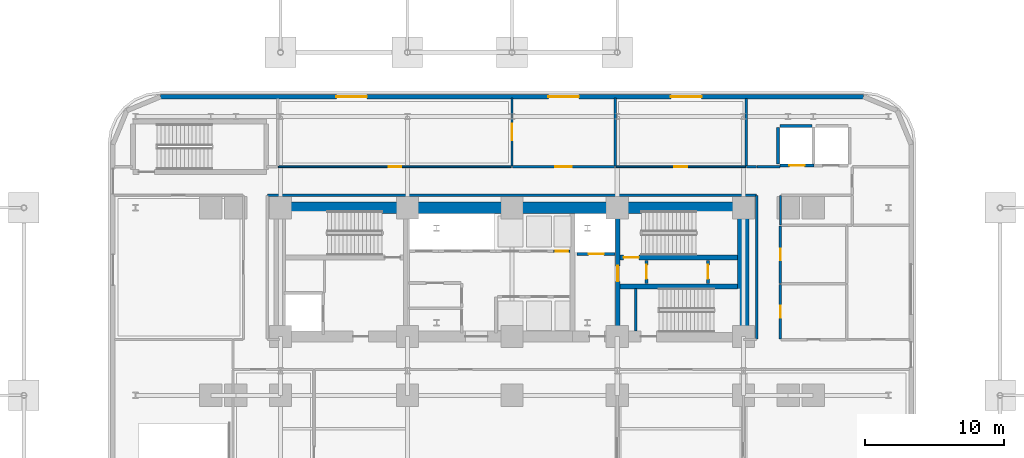
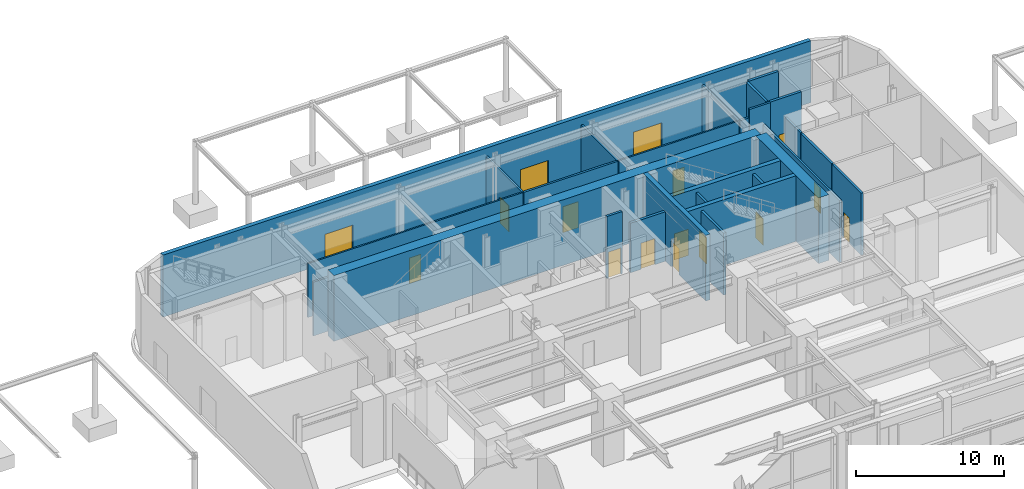
# One storey, part 14 of 21: 27 walls, 16 doors, 16 openings.
"""IFC4 building model written with IfcOpenShell, lengths in metres."""

from ifc_helpers import new_model, si_unit, direction, frame, frame_2d, origin, place, context, subcontext, project, spatial, rectangle, extrude, material, layer, layer_set, type_object, element, fill, save


model = new_model("IFC4")

# Units and contexts
model_context = context("Model", 3, precision=1e-05, world=origin(), true_north=direction((0.0, 1.0)))
body_context = subcontext(model_context, "Body", "Model", "MODEL_VIEW")
ifc_project = project(units=[si_unit("LENGTHUNIT", "METRE"), si_unit("AREAUNIT", "SQUARE_METRE"), si_unit("VOLUMEUNIT", "CUBIC_METRE"), si_unit("PLANEANGLEUNIT", "RADIAN"), si_unit("MASSUNIT", "GRAM", prefix="KILO")], contexts=[model_context])

# Site, building, storey
site_placement = place(None, origin())
site = spatial("IfcSite", under=ifc_project, at=site_placement, CompositionType="ELEMENT")
building_placement = place(site_placement, origin())
building = spatial("IfcBuilding", under=site, at=building_placement, Name="Zarnavel Station Tower", CompositionType="ELEMENT")
storey_placement = place(building_placement, origin())
storey = spatial("IfcBuildingStorey", under=building, at=storey_placement, Name="L01", CompositionType="ELEMENT", Elevation=0.0)

# Wall, opening, door
ifc_material_1 = material(Name="Concrete C50/60", Category="concrete")
ifc_layer_1 = layer(ifc_material_1, 0.35009765625)
ifc_layer_set_1 = layer_set([ifc_layer_1], Name="CW_350")
wall_type_1 = type_object("IfcWallType", Name="CW_350", PredefinedType="SHEAR", material=ifc_layer_set_1)
wall_1_placement = place(storey_placement, frame((36.3798828125, 28.219970703125, 0.0), z_axis=(0.0, 0.0, 1.0), x_axis=(0.0, 1.0, 0.0)))
wall_1 = element("IfcWall", 1, at=wall_1_placement, inside=storey, type_object=wall_type_1, Name="L01 Rear Core Shear Wall DIV-S2", PredefinedType="SHEAR", context=body_context, shape_type="SweptSolid", body=[
    extrude(rectangle(XDim=8.429931640625, YDim=0.35009765625, at=frame_2d((4.21484375, 0.0))), origin(), (0.0, 0.0, 1.0), 5.39990234375),
])
opening_1_placement = place(wall_1_placement, frame((3.56005859375, 0.0, 0.0)))
opening_1 = element("IfcOpeningElement", 2, at=opening_1_placement, cuts=wall_1, Name="Opening FD01", PredefinedType="OPENING", context=body_context, shape_type="SweptSolid", body=[
    extrude(rectangle(XDim=1.10009765625, YDim=2.14990234375, at=frame_2d((0.550048828125, 1.074951171875))), frame((0.0, 0.18505859375, 0.0), z_axis=(0.0, -1.0, 0.0), x_axis=(1.0, 0.0, 0.0)), (0.0, 0.0, 1.0), 0.3701171875),
])
ifc_material_2 = material(Name="Painted Galvanised Steel and Hardwood Leaf", Category="steel")
door_type_1 = type_object("IfcDoorType", Name="ID_STAIR_1100", OperationType="NOTDEFINED", PredefinedType="DOOR", material=ifc_material_2)
door_1_placement = place(opening_1_placement, origin())
door_1 = element("IfcDoor", 3, at=door_1_placement, inside=storey, type_object=door_type_1, Name="L01 East Stair Vestibule Fire Door", OperationType="SINGLE_SWING_LEFT", OverallHeight=2.14990234375, OverallWidth=1.10009765625, PredefinedType="DOOR", context=body_context, shape_type="SweptSolid", body=[
    extrude(rectangle(XDim=1.10009765625, YDim=2.14990234375, at=frame_2d((0.550048828125, 1.074951171875))), frame((0.0, 0.02490234375, 0.0), z_axis=(0.0, -1.0, 0.0), x_axis=(1.0, 0.0, 0.0)), (0.0, 0.0, 1.0), 0.050048828125),
])
fill(opening_1, door_1)

wall_2_placement = place(storey_placement, frame((44.97998046875, 33.47998046875, 0.0), z_axis=(0.0, 0.0, 1.0), x_axis=(-1.0, 0.0, 0.0)))
wall_2 = element("IfcWall", 4, at=wall_2_placement, inside=storey, type_object=wall_type_1, Name="L01 Rear Core Shear Wall DIV-H2", PredefinedType="SHEAR", context=body_context, shape_type="SweptSolid", body=[
    extrude(rectangle(XDim=8.425048828125, YDim=0.35009765625, at=frame_2d((4.21240234375, 0.0))), origin(), (0.0, 0.0, 1.0), 5.39990234375),
])
opening_2_placement = place(wall_2_placement, frame((7.080078125, 0.0, 0.0)))
opening_2 = element("IfcOpeningElement", 5, at=opening_2_placement, cuts=wall_2, Name="Opening FD01", PredefinedType="OPENING", context=body_context, shape_type="SweptSolid", body=[
    extrude(rectangle(XDim=1.10009765625, YDim=2.14990234375, at=frame_2d((0.550048828125, 1.074951171875))), frame((0.0, 0.18505859375, 0.0), z_axis=(0.0, -1.0, 0.0), x_axis=(1.0, 0.0, 0.0)), (0.0, 0.0, 1.0), 0.3701171875),
])
door_2_placement = place(opening_2_placement, origin())
door_2 = element("IfcDoor", 6, at=door_2_placement, inside=storey, type_object=door_type_1, Name="L01 Stair ST2 Lobby Fire Door", OperationType="SINGLE_SWING_RIGHT", OverallHeight=2.14990234375, OverallWidth=1.10009765625, PredefinedType="DOOR", context=body_context, shape_type="SweptSolid", body=[
    extrude(rectangle(XDim=1.10009765625, YDim=2.14990234375, at=frame_2d((0.550048828125, 1.074951171875))), frame((0.0, 0.02490234375, 0.0), z_axis=(0.0, -1.0, 0.0), x_axis=(1.0, 0.0, 0.0)), (0.0, 0.0, 1.0), 0.050048828125),
])
fill(opening_2, door_2)

# Walls
wall_3_placement = place(storey_placement, frame((36.554931640625, 31.419921875, 0.0), z_axis=(0.0, 0.0, 1.0), x_axis=(1.0, 0.0, 0.0)))
element("IfcWall", 7, at=wall_3_placement, inside=storey, type_object=wall_type_1, Name="L01 Rear Core Shear Wall DIV-H3", PredefinedType="SHEAR", context=body_context, shape_type="SweptSolid", body=[
    extrude(rectangle(XDim=8.425048828125, YDim=0.35009765625, at=frame_2d((4.21240234375, 0.0))), origin(), (0.0, 0.0, 1.0), 5.39990234375),
])
ifc_material_3 = material(Name="Concrete C60/75", Category="concrete")
ifc_layer_2 = layer(ifc_material_3, 0.800048828125)
ifc_layer_set_2 = layer_set([ifc_layer_2], Name="CW_800")
wall_type_2 = type_object("IfcWallType", Name="CW_800", PredefinedType="SHEAR", material=ifc_layer_set_2)
wall_4_placement = place(storey_placement, frame((12.14990234375, 37.050048828125, 0.0), z_axis=(0.0, 0.0, 1.0), x_axis=(1.0, 0.0, 0.0)))
element("IfcWall", 8, at=wall_4_placement, inside=storey, type_object=wall_type_2, Name="L01 Rear Core Shear Wall N", PredefinedType="SHEAR", context=body_context, shape_type="SweptSolid", body=[
    extrude(rectangle(XDim=33.22998046875, YDim=0.800048828125, at=frame_2d((16.614990234375, 0.0))), origin(), (0.0, 0.0, 1.0), 5.39990234375),
])
wall_5_placement = place(storey_placement, frame((45.3798828125, 28.219970703125, 0.0), z_axis=(0.0, 0.0, 1.0), x_axis=(0.0, 1.0, 0.0)))
element("IfcWall", 9, at=wall_5_placement, inside=storey, type_object=wall_type_2, Name="L01 Rear Core Shear Wall E", PredefinedType="SHEAR", context=body_context, shape_type="SweptSolid", body=[
    extrude(rectangle(XDim=8.429931640625, YDim=0.800048828125, at=frame_2d((4.21484375, 0.0))), origin(), (0.0, 0.0, 1.0), 5.39990234375),
])

# Wall, openings, doors
ifc_material_4 = material(Name="Precast concrete C45/55 (Podium Basalt Frame)", Category="masonry")
ifc_layer_3 = layer(ifc_material_4, 0.320068359375)
ifc_layer_set_3 = layer_set([ifc_layer_3], Name="EW_BASALT_320")
wall_type_3 = type_object("IfcWallType", Name="EW_BASALT_320", PredefinedType="SOLIDWALL", material=ifc_layer_set_3)
wall_6_placement = place(storey_placement, frame((3.60009765625, 45.02001953125, 0.0), z_axis=(0.0, 0.0, 1.0), x_axis=(1.0, 0.0, 0.0)))
wall_6 = element("IfcWall", 10, at=wall_6_placement, inside=storey, type_object=wall_type_3, Name="L01 Exterior Basalt Masonry Frame Wall 06", PredefinedType="SOLIDWALL", context=body_context, shape_type="SweptSolid", body=[
    extrude(rectangle(XDim=50.39990234375, YDim=0.320068359375, at=frame_2d((25.199951171875, 0.0))), origin(), (0.0, 0.0, 1.0), 5.10009765625),
])
opening_3_placement = place(wall_6_placement, frame((12.60009765625, 0.0, 0.0)))
opening_3 = element("IfcOpeningElement", 11, at=opening_3_placement, cuts=wall_6, Name="Opening ED01", PredefinedType="OPENING", context=body_context, shape_type="SweptSolid", body=[
    extrude(rectangle(XDim=2.199951171875, YDim=2.39990234375, at=frame_2d((1.10009765625, 1.199951171875))), frame((0.0, 0.169921875, 0.0), z_axis=(0.0, -1.0, 0.0), x_axis=(1.0, 0.0, 0.0)), (0.0, 0.0, 1.0), 0.340087890625),
])
opening_4_placement = place(wall_6_placement, frame((27.800048828125, 0.0, 0.0)))
opening_4 = element("IfcOpeningElement", 12, at=opening_4_placement, cuts=wall_6, Name="Opening ED01", PredefinedType="OPENING", context=body_context, shape_type="SweptSolid", body=[
    extrude(rectangle(XDim=2.199951171875, YDim=2.39990234375, at=frame_2d((1.10009765625, 1.199951171875))), frame((0.0, 0.169921875, 0.0), z_axis=(0.0, -1.0, 0.0), x_axis=(1.0, 0.0, 0.0)), (0.0, 0.0, 1.0), 0.340087890625),
])
opening_5_placement = place(wall_6_placement, frame((36.60009765625, 0.0, 0.0)))
opening_5 = element("IfcOpeningElement", 13, at=opening_5_placement, cuts=wall_6, Name="Opening ED01", PredefinedType="OPENING", context=body_context, shape_type="SweptSolid", body=[
    extrude(rectangle(XDim=2.199951171875, YDim=2.39990234375, at=frame_2d((1.10009765625, 1.199951171875))), frame((0.0, 0.169921875, 0.0), z_axis=(0.0, -1.0, 0.0), x_axis=(1.0, 0.0, 0.0)), (0.0, 0.0, 1.0), 0.340087890625),
])
ifc_material_5 = material(Name="Thermally Broken Black Aluminium and Laminated Safety Glass", Category="aluminium")
door_type_2 = type_object("IfcDoorType", Name="ED_EXIT_2200", OperationType="DOUBLE_DOOR_SINGLE_SWING", PredefinedType="DOOR", material=ifc_material_5)
door_3_placement = place(opening_3_placement, origin())
door_3 = element("IfcDoor", 14, at=door_3_placement, inside=storey, type_object=door_type_2, Name="L01 North Exit Door 1", OperationType="SINGLE_SWING_LEFT", OverallHeight=2.39990234375, OverallWidth=2.199951171875, PredefinedType="DOOR", context=body_context, shape_type="SweptSolid", body=[
    extrude(rectangle(XDim=2.199951171875, YDim=2.39990234375, at=frame_2d((1.10009765625, 1.199951171875))), frame((0.0, 0.02490234375, 0.0), z_axis=(0.0, -1.0, 0.0), x_axis=(1.0, 0.0, 0.0)), (0.0, 0.0, 1.0), 0.050048828125),
])
fill(opening_3, door_3)
door_4_placement = place(opening_4_placement, origin())
door_4 = element("IfcDoor", 15, at=door_4_placement, inside=storey, type_object=door_type_2, Name="L01 North Exit Door 2", OperationType="SINGLE_SWING_LEFT", OverallHeight=2.39990234375, OverallWidth=2.199951171875, PredefinedType="DOOR", context=body_context, shape_type="SweptSolid", body=[
    extrude(rectangle(XDim=2.199951171875, YDim=2.39990234375, at=frame_2d((1.10009765625, 1.199951171875))), frame((0.0, 0.02490234375, 0.0), z_axis=(0.0, -1.0, 0.0), x_axis=(1.0, 0.0, 0.0)), (0.0, 0.0, 1.0), 0.050048828125),
])
fill(opening_4, door_4)
door_5_placement = place(opening_5_placement, origin())
door_5 = element("IfcDoor", 16, at=door_5_placement, inside=storey, type_object=door_type_2, Name="L01 North Exit Door 3", OperationType="SINGLE_SWING_LEFT", OverallHeight=2.39990234375, OverallWidth=2.199951171875, PredefinedType="DOOR", context=body_context, shape_type="SweptSolid", body=[
    extrude(rectangle(XDim=2.199951171875, YDim=2.39990234375, at=frame_2d((1.10009765625, 1.199951171875))), frame((0.0, 0.02490234375, 0.0), z_axis=(0.0, -1.0, 0.0), x_axis=(1.0, 0.0, 0.0)), (0.0, 0.0, 1.0), 0.050048828125),
])
fill(opening_5, door_5)

# Wall, opening, door
ifc_material_6 = material(Name="Gypsum Twin-Stud Acoustic Fire Partition", Category="concrete")
ifc_layer_4 = layer(ifc_material_6, 0.159912109375)
ifc_layer_set_4 = layer_set([ifc_layer_4], Name="PT_DEMISE_160")
wall_type_4 = type_object("IfcWallType", Name="PT_DEMISE_160", PredefinedType="PARTITIONING", material=ifc_layer_set_4)
wall_7_placement = place(storey_placement, frame((28.840087890625, 40.0, 0.0), z_axis=(0.0, 0.0, 1.0), x_axis=(1.0, 0.0, 0.0)))
wall_7 = element("IfcWall", 17, at=wall_7_placement, inside=storey, type_object=wall_type_4, Name="L01 Partition PCOR-N-FCC", PredefinedType="PARTITIONING", context=body_context, shape_type="SweptSolid", body=[
    extrude(rectangle(XDim=7.31982421875, YDim=0.159912109375, at=frame_2d((3.659912109375, 0.0))), origin(), (0.0, 0.0, 1.0), 4.429931640625),
])
opening_6_placement = place(wall_7_placement, frame((3.06005859375, 0.0, 0.0)))
opening_6 = element("IfcOpeningElement", 18, at=opening_6_placement, cuts=wall_7, Name="Opening FD03", PredefinedType="OPENING", context=body_context, shape_type="SweptSolid", body=[
    extrude(rectangle(XDim=1.199951171875, YDim=2.14990234375, at=frame_2d((0.60009765625, 1.074951171875))), frame((0.0, 0.08984375, 0.0), z_axis=(0.0, -1.0, 0.0), x_axis=(1.0, 0.0, 0.0)), (0.0, 0.0, 1.0), 0.179931640625),
])
ifc_material_7 = material(Name="Painted Galvanised Steel and Hardwood Leaf", Category="steel")
door_type_3 = type_object("IfcDoorType", Name="ID_PLANT_1200", OperationType="NOTDEFINED", PredefinedType="DOOR", material=ifc_material_7)
door_6_placement = place(opening_6_placement, origin())
door_6 = element("IfcDoor", 19, at=door_6_placement, inside=storey, type_object=door_type_3, Name="L01 Door PCOR-N-FCC", OperationType="SINGLE_SWING_LEFT", OverallHeight=2.14990234375, OverallWidth=1.199951171875, PredefinedType="DOOR", context=body_context, shape_type="SweptSolid", body=[
    extrude(rectangle(XDim=1.199951171875, YDim=2.14990234375, at=frame_2d((0.60009765625, 1.074951171875))), frame((0.0, 0.02490234375, 0.0), z_axis=(0.0, -1.0, 0.0), x_axis=(1.0, 0.0, 0.0)), (0.0, 0.0, 1.0), 0.050048828125),
])
fill(opening_6, door_6)

wall_8_placement = place(storey_placement, frame((28.800048828125, 40.0400390625, 0.0), z_axis=(0.0, 0.0, 1.0), x_axis=(0.0, 1.0, 0.0)))
wall_8 = element("IfcWall", 20, at=wall_8_placement, inside=storey, type_object=wall_type_4, Name="L01 Partition RLOB-FCC", PredefinedType="PARTITIONING", context=body_context, shape_type="SweptSolid", body=[
    extrude(rectangle(XDim=4.8798828125, YDim=0.159912109375, at=frame_2d((2.43994140625, 0.0))), origin(), (0.0, 0.0, 1.0), 4.429931640625),
])
opening_7_placement = place(wall_8_placement, frame((1.840087890625, 0.0, 0.0)))
opening_7 = element("IfcOpeningElement", 21, at=opening_7_placement, cuts=wall_8, Name="Opening FD03", PredefinedType="OPENING", context=body_context, shape_type="SweptSolid", body=[
    extrude(rectangle(XDim=1.199951171875, YDim=2.14990234375, at=frame_2d((0.60009765625, 1.074951171875))), frame((0.0, 0.08984375, 0.0), z_axis=(0.0, -1.0, 0.0), x_axis=(1.0, 0.0, 0.0)), (0.0, 0.0, 1.0), 0.179931640625),
])
door_7_placement = place(opening_7_placement, origin())
door_7 = element("IfcDoor", 22, at=door_7_placement, inside=storey, type_object=door_type_3, Name="L01 Door RLOB-FCC", OperationType="SINGLE_SWING_RIGHT", OverallHeight=2.14990234375, OverallWidth=1.199951171875, PredefinedType="DOOR", context=body_context, shape_type="SweptSolid", body=[
    extrude(rectangle(XDim=1.199951171875, YDim=2.14990234375, at=frame_2d((0.60009765625, 1.074951171875))), frame((0.0, 0.02490234375, 0.0), z_axis=(0.0, -1.0, 0.0), x_axis=(1.0, 0.0, 0.0)), (0.0, 0.0, 1.0), 0.050048828125),
])
fill(opening_7, door_7)

# Walls
wall_9_placement = place(storey_placement, frame((36.199951171875, 40.0400390625, 0.0), z_axis=(0.0, 0.0, 1.0), x_axis=(0.0, 1.0, 0.0)))
element("IfcWall", 23, at=wall_9_placement, inside=storey, type_object=wall_type_4, Name="L01 Partition FCC-SEC", PredefinedType="PARTITIONING", context=body_context, shape_type="SweptSolid", body=[
    extrude(rectangle(XDim=4.8798828125, YDim=0.159912109375, at=frame_2d((2.43994140625, 0.0))), origin(), (0.0, 0.0, 1.0), 4.429931640625),
])
wall_10_placement = place(storey_placement, frame((46.3798828125, 40.0, 0.0), z_axis=(0.0, 0.0, 1.0), x_axis=(1.0, 0.0, 0.0)))
element("IfcWall", 24, at=wall_10_placement, inside=storey, type_object=wall_type_4, Name="L01 Enclosure Wall PCOR-E", PredefinedType="PARTITIONING", context=body_context, shape_type="SweptSolid", body=[
    extrude(rectangle(XDim=1.64013671875, YDim=0.159912109375, at=frame_2d((0.820068359375, 0.0))), origin(), (0.0, 0.0, 1.0), 5.10009765625),
])
wall_11_placement = place(storey_placement, frame((46.35009765625, 27.6298828125, 0.0), z_axis=(0.0, 0.0, 1.0), x_axis=(0.0, 1.0, 0.0)))
element("IfcWall", 25, at=wall_11_placement, inside=storey, type_object=wall_type_4, Name="L01 Enclosure Wall PCOR-E", PredefinedType="PARTITIONING", context=body_context, shape_type="SweptSolid", body=[
    extrude(rectangle(XDim=10.2900390625, YDim=0.159912109375, at=frame_2d((5.14501953125, 0.0))), origin(), (0.0, 0.0, 1.0), 5.10009765625),
])
wall_12_placement = place(storey_placement, frame((48.050048828125, 35.830078125, 0.0), z_axis=(0.0, 0.0, 1.0), x_axis=(0.0, 1.0, 0.0)))
element("IfcWall", 26, at=wall_12_placement, inside=storey, type_object=wall_type_4, Name="L01 Enclosure Wall PCOR-E", PredefinedType="PARTITIONING", context=body_context, shape_type="SweptSolid", body=[
    extrude(rectangle(XDim=2.08984375, YDim=0.159912109375, at=frame_2d((1.044921875, 0.0))), origin(), (0.0, 0.0, 1.0), 5.10009765625),
])
wall_13_placement = place(storey_placement, frame((11.280029296875, 37.949951171875, 0.0), z_axis=(0.0, 0.0, 1.0), x_axis=(1.0, 0.0, 0.0)))
element("IfcWall", 27, at=wall_13_placement, inside=storey, type_object=wall_type_4, Name="L01 Enclosure Wall PCOR-N", PredefinedType="PARTITIONING", context=body_context, shape_type="SweptSolid", body=[
    extrude(rectangle(XDim=35.0400390625, YDim=0.159912109375, at=frame_2d((17.52001953125, 0.0))), origin(), (0.0, 0.0, 1.0), 4.429931640625),
])
wall_14_placement = place(storey_placement, frame((45.6298828125, 40.0, 0.0), z_axis=(0.0, 0.0, 1.0), x_axis=(1.0, 0.0, 0.0)))
element("IfcWall", 28, at=wall_14_placement, inside=storey, type_object=wall_type_4, Name="L01 Enclosure Wall PCOR-N", PredefinedType="PARTITIONING", context=body_context, shape_type="SweptSolid", body=[
    extrude(rectangle(XDim=0.690185546875, YDim=0.159912109375, at=frame_2d((0.34521484375, 0.0))), origin(), (0.0, 0.0, 1.0), 4.429931640625),
])
wall_15_placement = place(storey_placement, frame((45.60009765625, 40.030029296875, 0.0), z_axis=(0.0, 0.0, 1.0), x_axis=(0.0, 1.0, 0.0)))
element("IfcWall", 29, at=wall_15_placement, inside=storey, type_object=wall_type_4, Name="L01 Enclosure Wall SEC", PredefinedType="PARTITIONING", context=body_context, shape_type="SweptSolid", body=[
    extrude(rectangle(XDim=4.85986328125, YDim=0.159912109375, at=frame_2d((2.429931640625, 0.0))), origin(), (0.0, 0.0, 1.0), 4.429931640625),
])

# Wall, opening, door
ifc_material_8 = material(Name="Gypsum Metal-Stud Interior Partition", Category="concrete")
ifc_layer_5 = layer(ifc_material_8, 0.1201171875)
ifc_layer_set_5 = layer_set([ifc_layer_5], Name="PT_ROOM_120")
wall_type_5 = type_object("IfcWallType", Name="PT_ROOM_120", PredefinedType="PARTITIONING", material=ifc_layer_set_5)
wall_16_placement = place(storey_placement, frame((12.0400390625, 40.0, 0.0), z_axis=(0.0, 0.0, 1.0), x_axis=(1.0, 0.0, 0.0)))
wall_16 = element("IfcWall", 30, at=wall_16_placement, inside=storey, type_object=wall_type_5, Name="L01 Partition PCOR-N-RLOB", PredefinedType="PARTITIONING", context=body_context, shape_type="SweptSolid", body=[
    extrude(rectangle(XDim=16.719970703125, YDim=0.1201171875, at=frame_2d((8.35986328125, 0.0))), origin(), (0.0, 0.0, 1.0), 4.429931640625),
])
opening_8_placement = place(wall_16_placement, frame((7.909912109375, 0.0, 0.0)))
opening_8 = element("IfcOpeningElement", 31, at=opening_8_placement, cuts=wall_16, Name="Opening ID01", PredefinedType="OPENING", context=body_context, shape_type="SweptSolid", body=[
    extrude(rectangle(XDim=0.89990234375, YDim=2.10009765625, at=frame_2d((0.449951171875, 1.050048828125))), frame((0.0, 0.070068359375, 0.0), z_axis=(0.0, -1.0, 0.0), x_axis=(1.0, 0.0, 0.0)), (0.0, 0.0, 1.0), 0.14013671875),
])
ifc_material_9 = material(Name="Painted Galvanised Steel and Hardwood Leaf", Category="steel")
door_type_4 = type_object("IfcDoorType", Name="ID_ROOM_900", OperationType="NOTDEFINED", PredefinedType="DOOR", material=ifc_material_9)
door_8_placement = place(opening_8_placement, origin())
door_8 = element("IfcDoor", 32, at=door_8_placement, inside=storey, type_object=door_type_4, Name="L01 Door PCOR-N-RLOB", OperationType="SINGLE_SWING_RIGHT", OverallHeight=2.10009765625, OverallWidth=0.89990234375, PredefinedType="DOOR", context=body_context, shape_type="SweptSolid", body=[
    extrude(rectangle(XDim=0.89990234375, YDim=2.10009765625, at=frame_2d((0.449951171875, 1.050048828125))), frame((0.0, 0.02490234375, 0.0), z_axis=(0.0, -1.0, 0.0), x_axis=(1.0, 0.0, 0.0)), (0.0, 0.0, 1.0), 0.050048828125),
])
fill(opening_8, door_8)

wall_17_placement = place(storey_placement, frame((36.239990234375, 40.0, 0.0), z_axis=(0.0, 0.0, 1.0), x_axis=(1.0, 0.0, 0.0)))
wall_17 = element("IfcWall", 33, at=wall_17_placement, inside=storey, type_object=wall_type_5, Name="L01 Partition PCOR-N-SEC", PredefinedType="PARTITIONING", context=body_context, shape_type="SweptSolid", body=[
    extrude(rectangle(XDim=9.320068359375, YDim=0.1201171875, at=frame_2d((4.66015625, 0.0))), origin(), (0.0, 0.0, 1.0), 4.429931640625),
])
opening_9_placement = place(wall_17_placement, frame((4.2099609375, 0.0, 0.0)))
opening_9 = element("IfcOpeningElement", 34, at=opening_9_placement, cuts=wall_17, Name="Opening ID01", PredefinedType="OPENING", context=body_context, shape_type="SweptSolid", body=[
    extrude(rectangle(XDim=0.89990234375, YDim=2.10009765625, at=frame_2d((0.449951171875, 1.050048828125))), frame((0.0, 0.070068359375, 0.0), z_axis=(0.0, -1.0, 0.0), x_axis=(1.0, 0.0, 0.0)), (0.0, 0.0, 1.0), 0.14013671875),
])
door_9_placement = place(opening_9_placement, origin())
door_9 = element("IfcDoor", 35, at=door_9_placement, inside=storey, type_object=door_type_4, Name="L01 Door PCOR-N-SEC", OperationType="SINGLE_SWING_RIGHT", OverallHeight=2.10009765625, OverallWidth=0.89990234375, PredefinedType="DOOR", context=body_context, shape_type="SweptSolid", body=[
    extrude(rectangle(XDim=0.89990234375, YDim=2.10009765625, at=frame_2d((0.449951171875, 1.050048828125))), frame((0.0, 0.02490234375, 0.0), z_axis=(0.0, -1.0, 0.0), x_axis=(1.0, 0.0, 0.0)), (0.0, 0.0, 1.0), 0.050048828125),
])
fill(opening_9, door_9)

ifc_material_10 = material(Name="Precast concrete C45/55 (Fire Shaft Blockwork)", Category="masonry")
ifc_layer_6 = layer(ifc_material_10, 0.199951171875)
ifc_layer_set_6 = layer_set([ifc_layer_6], Name="PT_SHAFT_200")
wall_type_6 = type_object("IfcWallType", Name="PT_SHAFT_200", PredefinedType="PARTITIONING", material=ifc_layer_set_6)
wall_18_placement = place(storey_placement, frame((33.47509765625, 33.72998046875, 0.0), z_axis=(0.0, 0.0, 1.0), x_axis=(1.0, 0.0, 0.0)))
wall_18 = element("IfcWall", 36, at=wall_18_placement, inside=storey, type_object=wall_type_6, Name="L01 Lift FFL-02 Shaft Front Wall", PredefinedType="PARTITIONING", context=body_context, shape_type="SweptSolid", body=[
    extrude(rectangle(XDim=2.724853515625, YDim=0.199951171875, at=frame_2d((1.3623046875, 0.0))), origin(), (0.0, 0.0, 1.0), 4.072021484375),
])
opening_10_placement = place(wall_18_placement, frame((0.8125, 0.0, 0.0)))
opening_10 = element("IfcOpeningElement", 37, at=opening_10_placement, cuts=wall_18, Name="Opening LD01", PredefinedType="OPENING", context=body_context, shape_type="SweptSolid", body=[
    extrude(rectangle(XDim=1.10009765625, YDim=2.14990234375, at=frame_2d((0.550048828125, 1.074951171875))), frame((0.0, 0.10986328125, 0.0), z_axis=(0.0, -1.0, 0.0), x_axis=(1.0, 0.0, 0.0)), (0.0, 0.0, 1.0), 0.219970703125),
])
ifc_material_11 = material(Name="Painted Galvanised Steel and Hardwood Leaf", Category="steel")
door_type_5 = type_object("IfcDoorType", Name="LD_FF_1100", OperationType="DOUBLE_DOOR_SLIDING", PredefinedType="DOOR", material=ifc_material_11)
door_10_placement = place(opening_10_placement, origin())
door_10 = element("IfcDoor", 38, at=door_10_placement, inside=storey, type_object=door_type_5, Name="L01 Lift FFL-02 Sliding Landing Door", OperationType="DOUBLE_DOOR_SLIDING", OverallHeight=2.14990234375, OverallWidth=1.10009765625, PredefinedType="DOOR", context=body_context, shape_type="SweptSolid", body=[
    extrude(rectangle(XDim=1.10009765625, YDim=2.14990234375, at=frame_2d((0.550048828125, 1.074951171875))), frame((0.0, 0.02490234375, 0.0), z_axis=(0.0, -1.0, 0.0), x_axis=(1.0, 0.0, 0.0)), (0.0, 0.0, 1.0), 0.050048828125),
])
fill(opening_10, door_10)

wall_19_placement = place(storey_placement, frame((31.77490234375, 33.929931640625, 0.0), z_axis=(0.0, 0.0, 1.0), x_axis=(1.0, 0.0, 0.0)))
wall_19 = element("IfcWall", 39, at=wall_19_placement, inside=storey, type_object=wall_type_6, Name="L01 Lift PL-M3 Shaft Front Wall", PredefinedType="PARTITIONING", context=body_context, shape_type="SweptSolid", body=[
    extrude(rectangle(XDim=1.2001953125, YDim=0.199951171875, at=frame_2d((0.60009765625, 0.0))), origin(), (0.0, 0.0, 1.0), 5.10009765625),
])
opening_11_placement = place(wall_19_placement, frame((0.125, 0.0, 0.0)))
opening_11 = element("IfcOpeningElement", 40, at=opening_11_placement, cuts=wall_19, Name="Opening LD03", PredefinedType="OPENING", context=body_context, shape_type="SweptSolid", body=[
    extrude(rectangle(XDim=0.949951171875, YDim=2.14990234375, at=frame_2d((0.47509765625, 1.074951171875))), frame((0.0, 0.10986328125, 0.0), z_axis=(0.0, -1.0, 0.0), x_axis=(1.0, 0.0, 0.0)), (0.0, 0.0, 1.0), 0.219970703125),
])
ifc_material_12 = material(Name="Painted Galvanised Steel and Hardwood Leaf", Category="steel")
door_type_6 = type_object("IfcDoorType", Name="LD_PAX_0950", OperationType="DOUBLE_DOOR_SLIDING", PredefinedType="DOOR", material=ifc_material_12)
door_11_placement = place(opening_11_placement, origin())
door_11 = element("IfcDoor", 41, at=door_11_placement, inside=storey, type_object=door_type_6, Name="L01 Lift PL-M3 Sliding Landing Door", OperationType="DOUBLE_DOOR_SLIDING", OverallHeight=2.14990234375, OverallWidth=0.949951171875, PredefinedType="DOOR", context=body_context, shape_type="SweptSolid", body=[
    extrude(rectangle(XDim=0.949951171875, YDim=2.14990234375, at=frame_2d((0.47509765625, 1.074951171875))), frame((0.0, 0.02490234375, 0.0), z_axis=(0.0, -1.0, 0.0), x_axis=(1.0, 0.0, 0.0)), (0.0, 0.0, 1.0), 0.050048828125),
])
fill(opening_11, door_11)

wall_20_placement = place(storey_placement, frame((48.02001953125, 40.080078125, 0.0), z_axis=(0.0, 0.0, 1.0), x_axis=(1.0, 0.0, 0.0)))
wall_20 = element("IfcWall", 42, at=wall_20_placement, inside=storey, type_object=wall_type_6, Name="L01 Lift PL-P1 Shaft Front Wall", PredefinedType="PARTITIONING", context=body_context, shape_type="SweptSolid", body=[
    extrude(rectangle(XDim=2.429931640625, YDim=0.199951171875, at=frame_2d((1.21484375, 0.0))), origin(), (0.0, 0.0, 1.0), 5.10009765625),
])
opening_12_placement = place(wall_20_placement, frame((0.6650390625, 0.0, 0.0)))
opening_12 = element("IfcOpeningElement", 43, at=opening_12_placement, cuts=wall_20, Name="Opening LD02", PredefinedType="OPENING", context=body_context, shape_type="SweptSolid", body=[
    extrude(rectangle(XDim=1.10009765625, YDim=2.14990234375, at=frame_2d((0.550048828125, 1.074951171875))), frame((0.0, 0.10986328125, 0.0), z_axis=(0.0, -1.0, 0.0), x_axis=(1.0, 0.0, 0.0)), (0.0, 0.0, 1.0), 0.219970703125),
])
ifc_material_13 = material(Name="Painted Galvanised Steel and Hardwood Leaf", Category="steel")
door_type_7 = type_object("IfcDoorType", Name="LD_PAX_1100", OperationType="DOUBLE_DOOR_SLIDING", PredefinedType="DOOR", material=ifc_material_13)
door_12_placement = place(opening_12_placement, origin())
door_12 = element("IfcDoor", 44, at=door_12_placement, inside=storey, type_object=door_type_7, Name="L01 Lift PL-P1 Sliding Landing Door", OperationType="DOUBLE_DOOR_SLIDING", OverallHeight=2.14990234375, OverallWidth=1.10009765625, PredefinedType="DOOR", context=body_context, shape_type="SweptSolid", body=[
    extrude(rectangle(XDim=1.10009765625, YDim=2.14990234375, at=frame_2d((0.550048828125, 1.074951171875))), frame((0.0, 0.02490234375, 0.0), z_axis=(0.0, -1.0, 0.0), x_axis=(1.0, 0.0, 0.0)), (0.0, 0.0, 1.0), 0.050048828125),
])
fill(opening_12, door_12)

# Walls
wall_21_placement = place(storey_placement, frame((48.0, 42.919921875, 0.0), z_axis=(0.0, 0.0, 1.0), x_axis=(1.0, 0.0, 0.0)))
element("IfcWall", 45, at=wall_21_placement, inside=storey, type_object=wall_type_6, Name="L01 Lift PL-P1 Shaft Wall N", PredefinedType="PARTITIONING", context=body_context, shape_type="SweptSolid", body=[
    extrude(rectangle(XDim=2.300048828125, YDim=0.199951171875, at=frame_2d((1.14990234375, 0.0))), origin(), (0.0, 0.0, 1.0), 5.10009765625),
])
wall_22_placement = place(storey_placement, frame((47.8798828125, 40.199951171875, 0.0), z_axis=(0.0, 0.0, 1.0), x_axis=(0.0, 1.0, 0.0)))
element("IfcWall", 46, at=wall_22_placement, inside=storey, type_object=wall_type_6, Name="L01 Lift PL-P1 Shaft Wall W", PredefinedType="PARTITIONING", context=body_context, shape_type="SweptSolid", body=[
    extrude(rectangle(XDim=2.60009765625, YDim=0.199951171875, at=frame_2d((1.300048828125, 0.0))), origin(), (0.0, 0.0, 1.0), 5.10009765625),
])
wall_23_placement = place(storey_placement, frame((37.679931640625, 28.219970703125, 0.0), z_axis=(0.0, 0.0, 1.0), x_axis=(0.0, 1.0, 0.0)))
element("IfcWall", 47, at=wall_23_placement, inside=storey, type_object=wall_type_6, Name="L01 Stair ST3 West Shaft Wall", PredefinedType="PARTITIONING", context=body_context, shape_type="SweptSolid", body=[
    extrude(rectangle(XDim=3.030029296875, YDim=0.199951171875, at=frame_2d((1.51513671875, 0.0))), origin(), (0.0, 0.0, 1.0), 5.10009765625),
])

# Wall, opening, door
wall_24_placement = place(storey_placement, frame((38.449951171875, 31.639892578125, 0.0), z_axis=(0.0, 0.0, 1.0), x_axis=(0.0, 1.0, 0.0)))
wall_24 = element("IfcWall", 48, at=wall_24_placement, inside=storey, type_object=wall_type_6, Name="L01 Partition ESTV-CEA", PredefinedType="PARTITIONING", context=body_context, shape_type="SweptSolid", body=[
    extrude(rectangle(XDim=1.6201171875, YDim=0.199951171875, at=frame_2d((0.81005859375, 0.0))), origin(), (0.0, 0.0, 1.0), 5.10009765625),
])
opening_13_placement = place(wall_24_placement, frame((0.31005859375, 0.0, 0.0)))
opening_13 = element("IfcOpeningElement", 49, at=opening_13_placement, cuts=wall_24, Name="Opening FD02", PredefinedType="OPENING", context=body_context, shape_type="SweptSolid", body=[
    extrude(rectangle(XDim=1.0, YDim=2.14990234375, at=frame_2d((0.5, 1.074951171875))), frame((0.0, 0.10986328125, 0.0), z_axis=(0.0, -1.0, 0.0), x_axis=(1.0, 0.0, 0.0)), (0.0, 0.0, 1.0), 0.219970703125),
])
ifc_material_14 = material(Name="Painted Galvanised Steel and Hardwood Leaf", Category="steel")
door_type_8 = type_object("IfcDoorType", Name="ID_ENTRY_1000", OperationType="NOTDEFINED", PredefinedType="DOOR", material=ifc_material_14)
door_13_placement = place(opening_13_placement, origin())
door_13 = element("IfcDoor", 50, at=door_13_placement, inside=storey, type_object=door_type_8, Name="L01 Door ESTV-CEA", OperationType="SINGLE_SWING_RIGHT", OverallHeight=2.14990234375, OverallWidth=1.0, PredefinedType="DOOR", context=body_context, shape_type="SweptSolid", body=[
    extrude(rectangle(XDim=1.0, YDim=2.14990234375, at=frame_2d((0.5, 1.074951171875))), frame((0.0, 0.02490234375, 0.0), z_axis=(0.0, -1.0, 0.0), x_axis=(1.0, 0.0, 0.0)), (0.0, 0.0, 1.0), 0.050048828125),
])
fill(opening_13, door_13)

wall_25_placement = place(storey_placement, frame((42.85009765625, 31.639892578125, 0.0), z_axis=(0.0, 0.0, 1.0), x_axis=(0.0, 1.0, 0.0)))
wall_25 = element("IfcWall", 51, at=wall_25_placement, inside=storey, type_object=wall_type_6, Name="L01 Partition CEA-CEB", PredefinedType="PARTITIONING", context=body_context, shape_type="SweptSolid", body=[
    extrude(rectangle(XDim=1.6201171875, YDim=0.199951171875, at=frame_2d((0.81005859375, 0.0))), origin(), (0.0, 0.0, 1.0), 5.10009765625),
])
opening_14_placement = place(wall_25_placement, frame((0.31005859375, 0.0, 0.0)))
opening_14 = element("IfcOpeningElement", 52, at=opening_14_placement, cuts=wall_25, Name="Opening FD02", PredefinedType="OPENING", context=body_context, shape_type="SweptSolid", body=[
    extrude(rectangle(XDim=1.0, YDim=2.14990234375, at=frame_2d((0.5, 1.074951171875))), frame((0.0, 0.10986328125, 0.0), z_axis=(0.0, -1.0, 0.0), x_axis=(1.0, 0.0, 0.0)), (0.0, 0.0, 1.0), 0.219970703125),
])
door_14_placement = place(opening_14_placement, origin())
door_14 = element("IfcDoor", 53, at=door_14_placement, inside=storey, type_object=door_type_8, Name="L01 Door CEA-CEB", OperationType="SINGLE_SWING_LEFT", OverallHeight=2.14990234375, OverallWidth=1.0, PredefinedType="DOOR", context=body_context, shape_type="SweptSolid", body=[
    extrude(rectangle(XDim=1.0, YDim=2.14990234375, at=frame_2d((0.5, 1.074951171875))), frame((0.0, 0.02490234375, 0.0), z_axis=(0.0, -1.0, 0.0), x_axis=(1.0, 0.0, 0.0)), (0.0, 0.0, 1.0), 0.050048828125),
])
fill(opening_14, door_14)

ifc_material_15 = material(Name="Moisture-Resistant Plumbing Chase Wall", Category="concrete")
ifc_layer_7 = layer(ifc_material_15, 0.179931640625)
ifc_layer_set_7 = layer_set([ifc_layer_7], Name="PW_PLUMB_180")
wall_type_7 = type_object("IfcWallType", Name="PW_PLUMB_180", PredefinedType="PLUMBINGWALL", material=ifc_layer_set_7)
wall_26_placement = place(storey_placement, frame((48.050048828125, 27.639892578125, 0.0), z_axis=(0.0, 0.0, 1.0), x_axis=(0.0, 1.0, 0.0)))
wall_26 = element("IfcWall", 54, at=wall_26_placement, inside=storey, type_object=wall_type_7, Name="L01 Partition PCOR-E-PWC-M", PredefinedType="PLUMBINGWALL", context=body_context, shape_type="SweptSolid", body=[
    extrude(rectangle(XDim=3.920166015625, YDim=0.179931640625, at=frame_2d((1.9599609375, 0.0))), origin(), (0.0, 0.0, 1.0), 5.10009765625),
])
opening_15_placement = place(wall_26_placement, frame((1.534912109375, 0.0, 0.0)))
opening_15 = element("IfcOpeningElement", 55, at=opening_15_placement, cuts=wall_26, Name="Opening ID02", PredefinedType="OPENING", context=body_context, shape_type="SweptSolid", body=[
    extrude(rectangle(XDim=0.85009765625, YDim=2.10009765625, at=frame_2d((0.425048828125, 1.050048828125))), frame((0.0, 0.099853515625, 0.0), z_axis=(0.0, -1.0, 0.0), x_axis=(1.0, 0.0, 0.0)), (0.0, 0.0, 1.0), 0.199951171875),
])
ifc_material_16 = material(Name="Painted Galvanised Steel and Hardwood Leaf", Category="steel")
door_type_9 = type_object("IfcDoorType", Name="ID_BATH_850", OperationType="NOTDEFINED", PredefinedType="DOOR", material=ifc_material_16)
door_15_placement = place(opening_15_placement, origin())
door_15 = element("IfcDoor", 56, at=door_15_placement, inside=storey, type_object=door_type_9, Name="L01 Door PCOR-E-PWC-M", OperationType="SINGLE_SWING_LEFT", OverallHeight=2.10009765625, OverallWidth=0.85009765625, PredefinedType="DOOR", context=body_context, shape_type="SweptSolid", body=[
    extrude(rectangle(XDim=0.85009765625, YDim=2.10009765625, at=frame_2d((0.425048828125, 1.050048828125))), frame((0.0, 0.02490234375, 0.0), z_axis=(0.0, -1.0, 0.0), x_axis=(1.0, 0.0, 0.0)), (0.0, 0.0, 1.0), 0.050048828125),
])
fill(opening_15, door_15)

wall_27_placement = place(storey_placement, frame((48.050048828125, 31.639892578125, 0.0), z_axis=(0.0, 0.0, 1.0), x_axis=(0.0, 1.0, 0.0)))
wall_27 = element("IfcWall", 57, at=wall_27_placement, inside=storey, type_object=wall_type_7, Name="L01 Partition PCOR-E-PWC-F", PredefinedType="PLUMBINGWALL", context=body_context, shape_type="SweptSolid", body=[
    extrude(rectangle(XDim=4.1201171875, YDim=0.179931640625, at=frame_2d((2.06005859375, 0.0))), origin(), (0.0, 0.0, 1.0), 5.10009765625),
])
opening_16_placement = place(wall_27_placement, frame((1.635009765625, 0.0, 0.0)))
opening_16 = element("IfcOpeningElement", 58, at=opening_16_placement, cuts=wall_27, Name="Opening ID02", PredefinedType="OPENING", context=body_context, shape_type="SweptSolid", body=[
    extrude(rectangle(XDim=0.85009765625, YDim=2.10009765625, at=frame_2d((0.425048828125, 1.050048828125))), frame((0.0, 0.099853515625, 0.0), z_axis=(0.0, -1.0, 0.0), x_axis=(1.0, 0.0, 0.0)), (0.0, 0.0, 1.0), 0.199951171875),
])
door_16_placement = place(opening_16_placement, origin())
door_16 = element("IfcDoor", 59, at=door_16_placement, inside=storey, type_object=door_type_9, Name="L01 Door PCOR-E-PWC-F", OperationType="SINGLE_SWING_RIGHT", OverallHeight=2.10009765625, OverallWidth=0.85009765625, PredefinedType="DOOR", context=body_context, shape_type="SweptSolid", body=[
    extrude(rectangle(XDim=0.85009765625, YDim=2.10009765625, at=frame_2d((0.425048828125, 1.050048828125))), frame((0.0, 0.02490234375, 0.0), z_axis=(0.0, -1.0, 0.0), x_axis=(1.0, 0.0, 0.0)), (0.0, 0.0, 1.0), 0.050048828125),
])
fill(opening_16, door_16)

save(model, "model.ifc")
